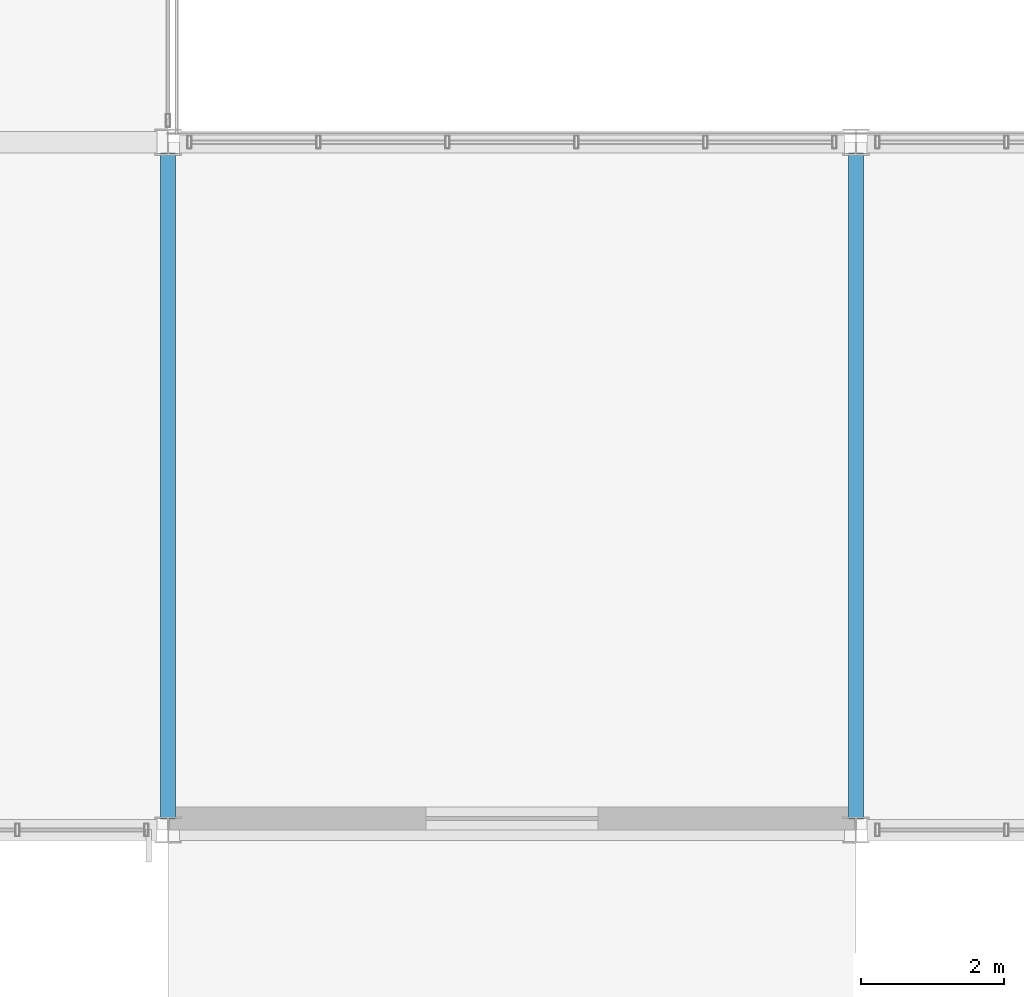
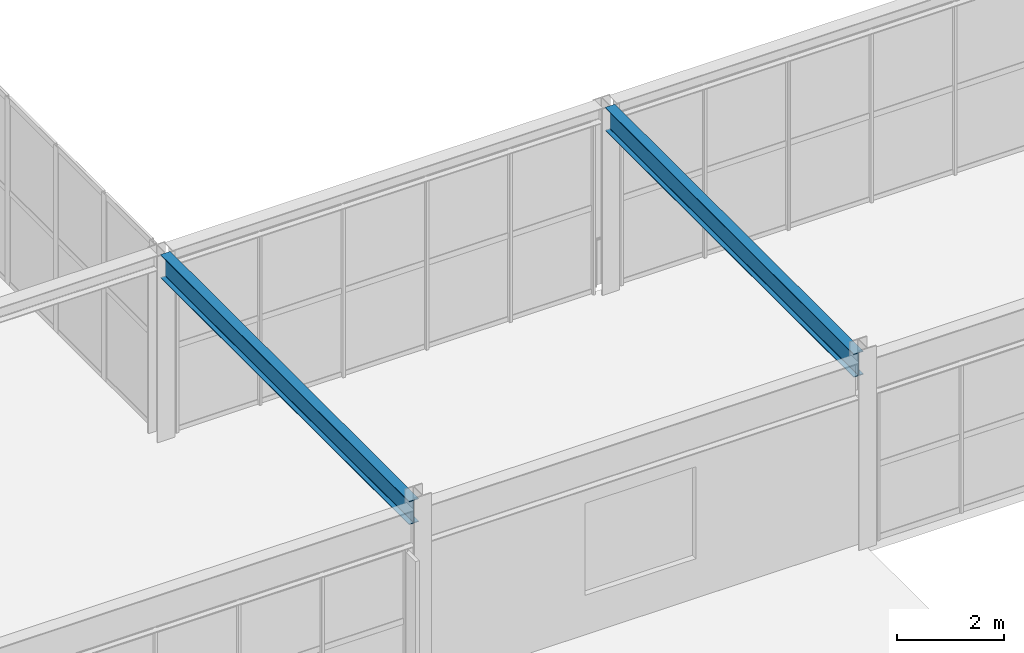
# One storey, part 54 of 170: 2 beams.
"""IFC4 building model written with IfcOpenShell, lengths in metres."""

from ifc_helpers import new_model, si_unit, direction, frame, origin, origin_2d, place, context, subcontext, project, spatial, i_section, extrude, material, material_profile, profile_set, type_object, element, save


model = new_model("IFC4")

# Units and contexts
model_context = context("Model", 3, precision=1e-05, world=origin(), true_north=direction((0.0, 1.0)))
body_context = subcontext(model_context, "Body", "Model", "MODEL_VIEW")
ifc_project = project(units=[si_unit("LENGTHUNIT", "METRE"), si_unit("AREAUNIT", "SQUARE_METRE"), si_unit("VOLUMEUNIT", "CUBIC_METRE"), si_unit("PLANEANGLEUNIT", "RADIAN"), si_unit("MASSUNIT", "GRAM", prefix="KILO")], contexts=[model_context])

# Site, building, storey
site_placement = place(None, origin())
site = spatial("IfcSite", under=ifc_project, at=site_placement, CompositionType="ELEMENT")
building_placement = place(site_placement, origin())
building = spatial("IfcBuilding", under=site, at=building_placement, Name="Coralgate Yard Interchange", CompositionType="ELEMENT")
storey_placement = place(building_placement, frame((0.0, 0.0, 6.0)))
storey = spatial("IfcBuildingStorey", under=building, at=storey_placement, Name="L01", CompositionType="ELEMENT", Elevation=6.0)

# Beams
ifc_material = material(Name="Structural steel S355J2", Category="steel")
ifc_material_profile = material_profile(ifc_material, i_section(OverallWidth=0.209228515625, OverallDepth=0.533203125, WebThickness=0.010009765625, FlangeThickness=0.015625, FilletRadius=0.0126953125, at=origin_2d()), Name="UB 533x210x92")
ifc_profile_set = profile_set([ifc_material_profile], Name="Structural steel S355J2")
beam_type = type_object("IfcBeamType", Name="BM-SB-1", PredefinedType="BEAM", material=ifc_profile_set)
for number, where, z_axis, x_axis, name in (
    (1, (48.0, 38.55419921875, 3.9833984375), (0.0, 1.0, 0.0), (-1.0, 0.0, 0.0), "L01 primary grid girder X5 Y4-5"),
    (2, (57.60009765625, 38.55419921875, 3.9833984375), (0.0, 1.0, 0.0), (-1.0, 0.0, 0.0), "L01 primary grid girder X6 Y4-5"),
):
    element("IfcBeam", number, at=place(storey_placement, frame(where, z_axis=z_axis, x_axis=x_axis)), inside=storey, type_object=beam_type, Name=name, PredefinedType="BEAM", context=body_context, shape_type="SweptSolid", body=[
        extrude(i_section(OverallWidth=0.209228515625, OverallDepth=0.533203125, WebThickness=0.010009765625, FlangeThickness=0.015625, FilletRadius=0.0126953125, at=origin_2d()), origin(), (0.0, 0.0, 1.0), 9.291748046875),
    ])

save(model, "model.ifc")
